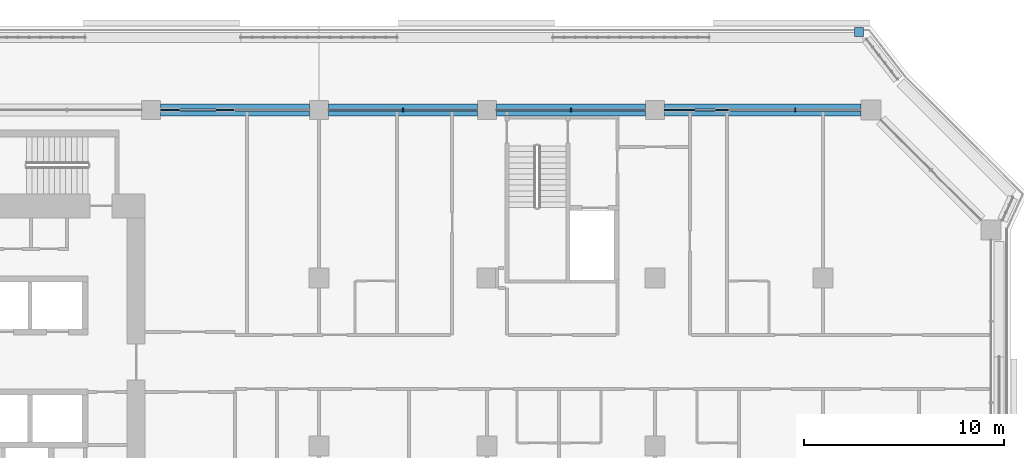
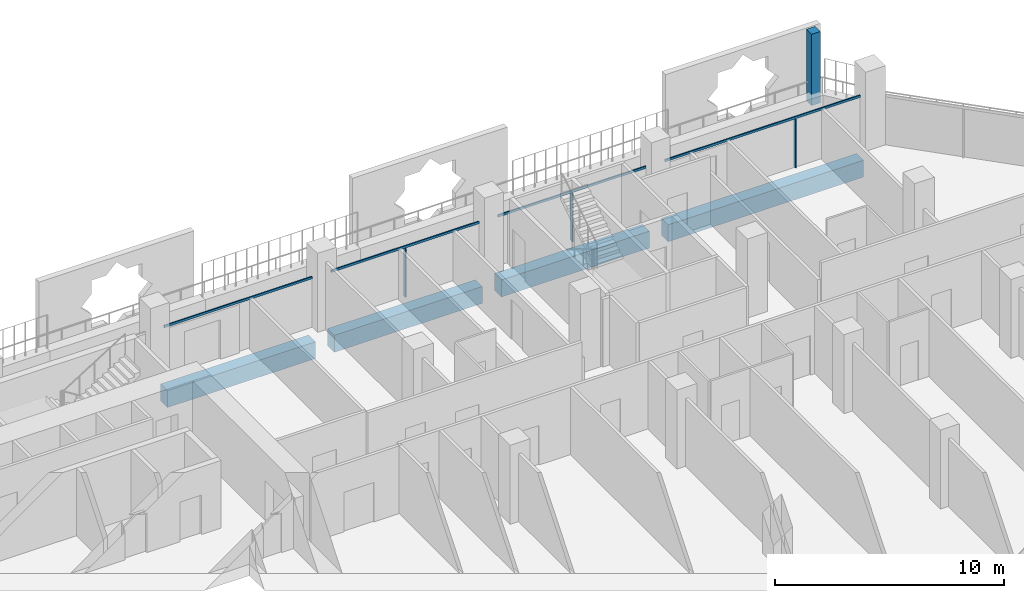
# One storey, part 6 of 22: 8 members, 4 beams, 2 elements without a shape of their own.
"""IFC4 building model written with IfcOpenShell, lengths in metres."""

from ifc_helpers import new_model, si_unit, direction, frame, origin, origin_2d, place, context, subcontext, project, spatial, rectangle, extrude, material, layer, layer_set, material_profile, profile_set, type_object, element, aggregate, save


model = new_model("IFC4")

# Units and contexts
model_context = context("Model", 3, precision=1e-05, world=origin(), true_north=direction((0.0, 1.0)))
body_context = subcontext(model_context, "Body", "Model", "MODEL_VIEW")
ifc_project = project(units=[si_unit("LENGTHUNIT", "METRE"), si_unit("AREAUNIT", "SQUARE_METRE"), si_unit("VOLUMEUNIT", "CUBIC_METRE"), si_unit("PLANEANGLEUNIT", "RADIAN"), si_unit("MASSUNIT", "GRAM", prefix="KILO")], contexts=[model_context])

# Site, building, storey
site_placement = place(None, origin())
site = spatial("IfcSite", under=ifc_project, at=site_placement, CompositionType="ELEMENT")
building_placement = place(site_placement, origin())
building = spatial("IfcBuilding", under=site, at=building_placement, Name="Kawkab Arch Medical Tower", CompositionType="ELEMENT")
storey_placement = place(building_placement, frame((0.0, 0.0, 196.199951171875)))
storey = spatial("IfcBuildingStorey", under=building, at=storey_placement, Name="L45", CompositionType="ELEMENT", Elevation=196.199951171875)

# Curtain wall, members
ifc_material_1 = material(Name="Bronze anodised aluminium curtain wall frame", Category="aluminium")
ifc_layer_1 = layer(ifc_material_1, 0.159912109375)
ifc_layer_set_1 = layer_set([ifc_layer_1], Name="Bronze anodised aluminium curtain wall frame")
curtain_wall_type_1 = type_object("IfcCurtainWallType", Name="CW1 ward curtain wall", PredefinedType="NOTDEFINED", material=ifc_layer_set_1)
placement = place(storey_placement, origin())
curtain_wall_1 = element("IfcCurtainWall", 1, at=placement, inside=storey, type_object=curtain_wall_type_1, Name="CW1 Ward curtain wall R11", PredefinedType="NOTDEFINED")
ifc_material_2 = material(Name="Bronze anodised aluminium curtain wall frame", Category="aluminium")
ifc_material_profile_1 = material_profile(ifc_material_2, rectangle(XDim=0.179931640625, YDim=0.06005859375, at=origin_2d()), Name="AL 60x180")
ifc_profile_set_1 = profile_set([ifc_material_profile_1], Name="Bronze anodised aluminium curtain wall frame")
member_type_1 = type_object("IfcMemberType", Name="CW1 mullion 60 x 180", PredefinedType="MULLION", material=ifc_profile_set_1)
member_1_placement = place(storey_placement, frame((57.425048828125, 0.0, 0.0), z_axis=(0.0, 0.0, 1.0), x_axis=(0.0, -1.0, 0.0)))
member_1 = element("IfcMember", 2, at=member_1_placement, type_object=member_type_1, Name="CW1 mullion 1.1", PredefinedType="MULLION", context=body_context, shape_type="SweptSolid", body=[
    extrude(rectangle(XDim=0.179931640625, YDim=0.06005859375, at=origin_2d()), origin(), (0.0, 0.0, 1.0), 2.580078125),
])
member_2_placement = place(storey_placement, frame((46.199951171875, 0.0, 0.0), z_axis=(0.0, 0.0, 1.0), x_axis=(0.0, -1.0, 0.0)))
member_2 = element("IfcMember", 3, at=member_2_placement, type_object=member_type_1, Name="CW1 mullion 2.1", PredefinedType="MULLION", context=body_context, shape_type="SweptSolid", body=[
    extrude(rectangle(XDim=0.179931640625, YDim=0.06005859375, at=origin_2d()), origin(), (0.0, 0.0, 1.0), 2.580078125),
])
member_3_placement = place(storey_placement, frame((37.800048828125, 0.0, 0.0), z_axis=(0.0, 0.0, 1.0), x_axis=(0.0, -1.0, 0.0)))
member_3 = element("IfcMember", 4, at=member_3_placement, type_object=member_type_1, Name="CW1 mullion 3.1", PredefinedType="MULLION", context=body_context, shape_type="SweptSolid", body=[
    extrude(rectangle(XDim=0.179931640625, YDim=0.06005859375, at=origin_2d()), origin(), (0.0, 0.0, 1.0), 2.580078125),
])
ifc_material_3 = material(Name="Bronze anodised aluminium curtain wall frame", Category="aluminium")
ifc_material_profile_2 = material_profile(ifc_material_3, rectangle(XDim=0.06005859375, YDim=0.1201171875, at=origin_2d()), Name="AL 60x120")
ifc_profile_set_2 = profile_set([ifc_material_profile_2], Name="Bronze anodised aluminium curtain wall frame")
member_type_2 = type_object("IfcMemberType", Name="CW1 transom 120 x 60", PredefinedType="USERDEFINED", material=ifc_profile_set_2)
member_4_placement = place(storey_placement, frame((60.699951171875, 0.0, 2.64013671875), z_axis=(-1.0, 0.0, 0.0), x_axis=(0.0, -1.0, 0.0)))
member_4 = element("IfcMember", 5, at=member_4_placement, type_object=member_type_2, Name="CW1 transom 1", ObjectType="TRANSOM", PredefinedType="USERDEFINED", context=body_context, shape_type="SweptSolid", body=[
    extrude(rectangle(XDim=0.06005859375, YDim=0.1201171875, at=origin_2d()), origin(), (0.0, 0.0, 1.0), 9.824951171875),
])
member_5_placement = place(storey_placement, frame((49.925048828125, 0.0, 2.64013671875), z_axis=(-1.0, 0.0, 0.0), x_axis=(0.0, -1.0, 0.0)))
member_5 = element("IfcMember", 6, at=member_5_placement, type_object=member_type_2, Name="CW1 transom 2", ObjectType="TRANSOM", PredefinedType="USERDEFINED", context=body_context, shape_type="SweptSolid", body=[
    extrude(rectangle(XDim=0.06005859375, YDim=0.1201171875, at=origin_2d()), origin(), (0.0, 0.0, 1.0), 7.449951171875),
])
member_6_placement = place(storey_placement, frame((41.52490234375, 0.0, 2.64013671875), z_axis=(-1.0, 0.0, 0.0), x_axis=(0.0, -1.0, 0.0)))
member_6 = element("IfcMember", 7, at=member_6_placement, type_object=member_type_2, Name="CW1 transom 3", ObjectType="TRANSOM", PredefinedType="USERDEFINED", context=body_context, shape_type="SweptSolid", body=[
    extrude(rectangle(XDim=0.06005859375, YDim=0.1201171875, at=origin_2d()), origin(), (0.0, 0.0, 1.0), 7.449951171875),
])
member_7_placement = place(storey_placement, frame((33.125, 0.0, 2.64013671875), z_axis=(-1.0, 0.0, 0.0), x_axis=(0.0, -1.0, 0.0)))
member_7 = element("IfcMember", 8, at=member_7_placement, type_object=member_type_2, Name="CW1 transom 4", ObjectType="TRANSOM", PredefinedType="USERDEFINED", context=body_context, shape_type="SweptSolid", body=[
    extrude(rectangle(XDim=0.06005859375, YDim=0.1201171875, at=origin_2d()), origin(), (0.0, 0.0, 1.0), 7.449951171875),
])
aggregate(curtain_wall_1, [member_4, member_1, member_5, member_2, member_6, member_3, member_7])

# Curtain wall, member
ifc_material_4 = material(Name="Bronze anodised aluminium climber frame, planted", Category="aluminium")
ifc_layer_2 = layer(ifc_material_4, 0.449951171875)
ifc_layer_set_2 = layer_set([ifc_layer_2], Name="Bronze anodised aluminium climber frame, planted")
curtain_wall_type_2 = type_object("IfcCurtainWallType", Name="Planted climber frame", PredefinedType="NOTDEFINED", material=ifc_layer_set_2)
curtain_wall_2 = element("IfcCurtainWall", 9, at=placement, inside=storey, type_object=curtain_wall_type_2, Name="Planted climber frame L45", PredefinedType="NOTDEFINED")
ifc_material_5 = material(Name="Bronze anodised aluminium climber frame, planted", Category="aluminium")
ifc_material_profile_3 = material_profile(ifc_material_5, rectangle(XDim=0.449951171875, YDim=0.449951171875, at=origin_2d()), Name="Post 450x450")
ifc_profile_set_3 = profile_set([ifc_material_profile_3], Name="Bronze anodised aluminium climber frame, planted")
member_type_3 = type_object("IfcMemberType", Name="Planted climber post 450 x 450", PredefinedType="MULLION", material=ifc_profile_set_3)
member_8_placement = place(storey_placement, frame((60.60302734375, 3.89990234375, 0.0), z_axis=(0.0, 0.0, 1.0), x_axis=(1.0, 0.0, 0.0)))
member_8 = element("IfcMember", 10, at=member_8_placement, type_object=member_type_3, Name="Planted climber post L45.LOG-01-01.2", PredefinedType="MULLION", context=body_context, shape_type="SweptSolid", body=[
    extrude(rectangle(XDim=0.449951171875, YDim=0.449951171875, at=origin_2d()), origin(), (0.0, 0.0, 1.0), 3.800048828125),
])
aggregate(curtain_wall_2, [member_8])

# Beams
ifc_material_6 = material(Name="Concrete C50/60", Category="concrete")
ifc_material_profile_4 = material_profile(ifc_material_6, rectangle(XDim=0.60009765625, YDim=0.89990234375, at=origin_2d()), Name="RC 600x900")
ifc_profile_set_4 = profile_set([ifc_material_profile_4], Name="Concrete C50/60")
beam_type = type_object("IfcBeamType", Name="RC 600x900 beam C50/60", PredefinedType="BEAM", material=ifc_profile_set_4)
for number, where, z_axis, x_axis, name in (
    (11, (25.675048828125, 0.0, -1.050048828125), (1.0, 0.0, 0.0), (0.0, 1.0, 0.0), "Overhang edge beam L45-04"),
    (12, (34.074951171875, 0.0, -1.050048828125), (1.0, 0.0, 0.0), (0.0, 1.0, 0.0), "Overhang edge beam L45-05"),
    (13, (42.47509765625, 0.0, -1.050048828125), (1.0, 0.0, 0.0), (0.0, 1.0, 0.0), "Overhang edge beam L45-06"),
):
    element("IfcBeam", number, at=place(storey_placement, frame(where, z_axis=z_axis, x_axis=x_axis)), inside=storey, type_object=beam_type, Name=name, PredefinedType="BEAM", context=body_context, shape_type="SweptSolid", body=[
        extrude(rectangle(XDim=0.60009765625, YDim=0.89990234375, at=origin_2d()), origin(), (0.0, 0.0, 1.0), 7.449951171875),
    ])
beam_placement = place(storey_placement, frame((50.875, 0.0, -1.050048828125), z_axis=(1.0, 0.0, 0.0), x_axis=(0.0, 1.0, 0.0)))
element("IfcBeam", 14, at=beam_placement, inside=storey, type_object=beam_type, Name="Overhang edge beam L45-07", PredefinedType="BEAM", context=body_context, shape_type="SweptSolid", body=[
    extrude(rectangle(XDim=0.60009765625, YDim=0.89990234375, at=origin_2d()), origin(), (0.0, 0.0, 1.0), 9.824951171875),
])

save(model, "model.ifc")
